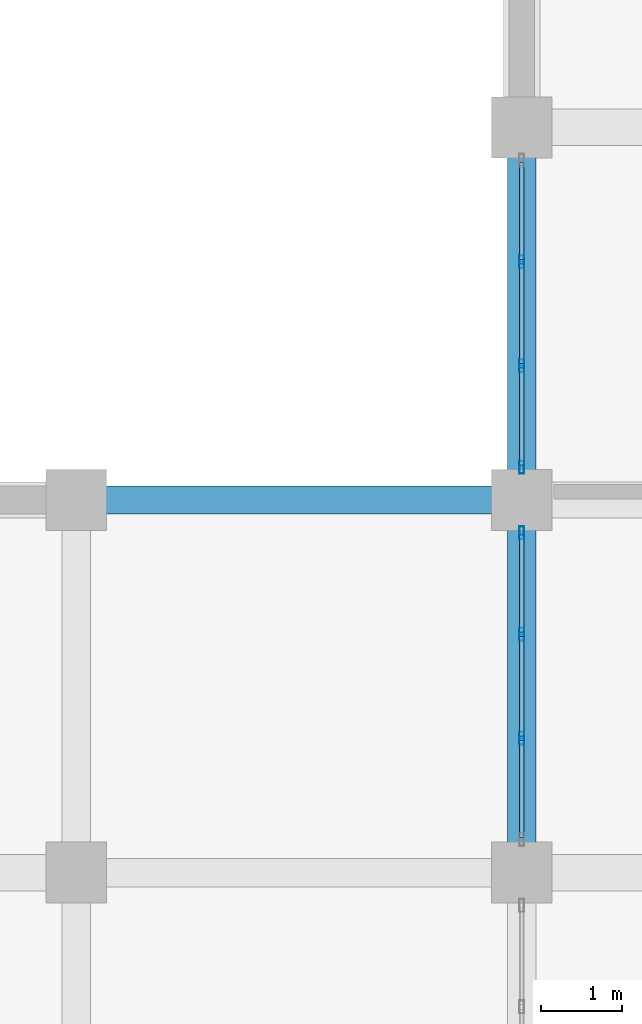
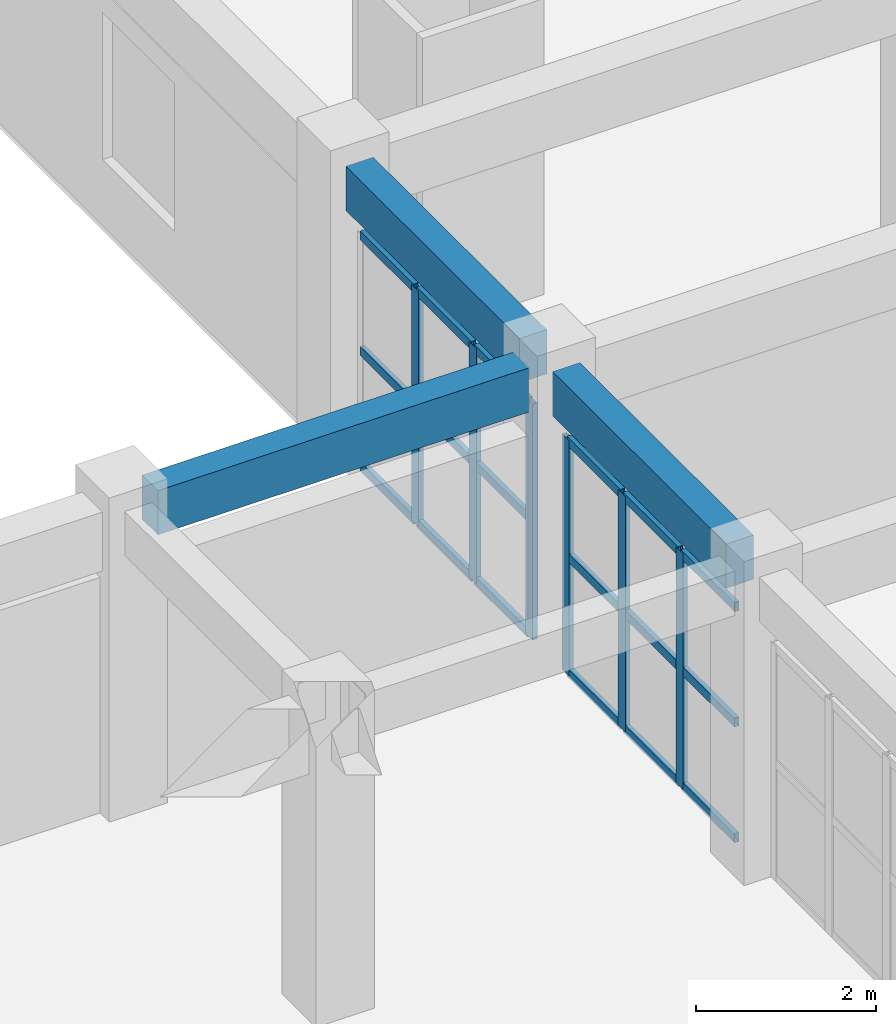
# One storey, part 44 of 116: 24 members, 3 beams, 2 elements without a shape of their own.
"""IFC4 building model written with IfcOpenShell, lengths in metres."""

from ifc_helpers import new_model, si_unit, direction, frame, origin, origin_2d, place, context, subcontext, project, spatial, rectangle, hollow_rectangle, extrude, material, layer, layer_set, material_profile, profile_set, type_object, element, aggregate, save


model = new_model("IFC4")

# Units and contexts
model_context = context("Model", 3, precision=1e-05, world=origin(), true_north=direction((0.0, 1.0)))
body_context = subcontext(model_context, "Body", "Model", "MODEL_VIEW")
ifc_project = project(units=[si_unit("LENGTHUNIT", "METRE"), si_unit("AREAUNIT", "SQUARE_METRE"), si_unit("VOLUMEUNIT", "CUBIC_METRE"), si_unit("PLANEANGLEUNIT", "RADIAN"), si_unit("MASSUNIT", "GRAM", prefix="KILO")], contexts=[model_context])

# Site, building, storey
site_placement = place(None, origin())
site = spatial("IfcSite", under=ifc_project, at=site_placement, CompositionType="ELEMENT")
building_placement = place(site_placement, origin())
building = spatial("IfcBuilding", under=site, at=building_placement, Name="Muzn Square Opera House", CompositionType="ELEMENT")
storey_placement = place(building_placement, frame((0.0, 0.0, 5.39990234375)))
storey = spatial("IfcBuildingStorey", under=building, at=storey_placement, Name="L01", CompositionType="ELEMENT", Elevation=5.39990234375)

# Curtain wall, members
ifc_material_1 = material(Name="Low-E laminated acoustic double glazing", Category="glass")
ifc_layer = layer(ifc_material_1, 0.159912109375, Name="Low-E laminated acoustic double glazing", Category="glass")
ifc_layer_set = layer_set([ifc_layer], Name="Low-E laminated acoustic double glazing")
curtain_wall_type = type_object("IfcCurtainWallType", Name="Glazed Curtain Wall WestCourt 3850x3200", PredefinedType="USERDEFINED", material=ifc_layer_set)
curtain_wall_1_placement = place(storey_placement, origin())
curtain_wall_1 = element("IfcCurtainWall", 1, at=curtain_wall_1_placement, inside=storey, type_object=curtain_wall_type, Name="Glazed Curtain Wall CW-L01-146", ObjectType="GLAZED CURTAIN WALL", PredefinedType="USERDEFINED")
ifc_material_2 = material(Name="Anodised bronze aluminium 6063-T6", Category="metal")
ifc_material_profile_1 = material_profile(ifc_material_2, hollow_rectangle(XDim=0.06005859375, YDim=0.159912109375, WallThickness=0.00390625, at=origin_2d()), Name="ALU 160x60x4", Category="metal")
ifc_profile_set_1 = profile_set([ifc_material_profile_1], Name="Anodised bronze aluminium 6063-T6")
member_type_1 = type_object("IfcMemberType", Name="Curtain Wall Mullion 160x60", PredefinedType="MULLION", material=ifc_profile_set_1)
member_1_placement = place(storey_placement, frame((19.0, 65.058349609375, 0.0), z_axis=(0.0, 0.0, 1.0), x_axis=(-1.0, 0.0, 0.0)))
member_1 = element("IfcMember", 2, at=member_1_placement, type_object=member_type_1, Name="CW-WCT-38x32 mullion 2", PredefinedType="MULLION", context=body_context, shape_type="SweptSolid", body=[
    extrude(hollow_rectangle(XDim=0.06005859375, YDim=0.159912109375, WallThickness=0.00390625, at=origin_2d()), origin(), (0.0, 0.0, 1.0), 3.2001953125),
])
member_2_placement = place(storey_placement, frame((19.0, 66.341552734375, 0.0), z_axis=(0.0, 0.0, 1.0), x_axis=(-1.0, 0.0, 0.0)))
member_2 = element("IfcMember", 3, at=member_2_placement, type_object=member_type_1, Name="CW-WCT-38x32 mullion 3", PredefinedType="MULLION", context=body_context, shape_type="SweptSolid", body=[
    extrude(hollow_rectangle(XDim=0.06005859375, YDim=0.159912109375, WallThickness=0.00390625, at=origin_2d()), origin(), (0.0, 0.0, 1.0), 3.2001953125),
])
member_3_placement = place(storey_placement, frame((19.0, 67.594970703125, 0.0), z_axis=(0.0, 0.0, 1.0), x_axis=(-1.0, 0.0, 0.0)))
member_3 = element("IfcMember", 4, at=member_3_placement, type_object=member_type_1, Name="CW-WCT-38x32 mullion 4", PredefinedType="MULLION", context=body_context, shape_type="SweptSolid", body=[
    extrude(hollow_rectangle(XDim=0.06005859375, YDim=0.159912109375, WallThickness=0.00390625, at=origin_2d()), origin(), (0.0, 0.0, 1.0), 3.2001953125),
])

curtain_wall_2_placement = place(storey_placement, origin())
curtain_wall_2 = element("IfcCurtainWall", 5, at=curtain_wall_2_placement, inside=storey, type_object=curtain_wall_type, Name="Glazed Curtain Wall CW-L01-147", ObjectType="GLAZED CURTAIN WALL", PredefinedType="USERDEFINED")
member_4_placement = place(storey_placement, frame((19.0, 68.405029296875, 0.0), z_axis=(0.0, 0.0, 1.0), x_axis=(-1.0, 0.0, 0.0)))
member_4 = element("IfcMember", 6, at=member_4_placement, type_object=member_type_1, Name="CW-WCT-38x32 mullion 1", PredefinedType="MULLION", context=body_context, shape_type="SweptSolid", body=[
    extrude(hollow_rectangle(XDim=0.06005859375, YDim=0.159912109375, WallThickness=0.00390625, at=origin_2d()), origin(), (0.0, 0.0, 1.0), 3.2001953125),
])
member_5_placement = place(storey_placement, frame((19.0, 69.658447265625, 0.0), z_axis=(0.0, 0.0, 1.0), x_axis=(-1.0, 0.0, 0.0)))
member_5 = element("IfcMember", 7, at=member_5_placement, type_object=member_type_1, Name="CW-WCT-38x32 mullion 2", PredefinedType="MULLION", context=body_context, shape_type="SweptSolid", body=[
    extrude(hollow_rectangle(XDim=0.06005859375, YDim=0.159912109375, WallThickness=0.00390625, at=origin_2d()), origin(), (0.0, 0.0, 1.0), 3.2001953125),
])
member_6_placement = place(storey_placement, frame((19.0, 70.941650390625, 0.0), z_axis=(0.0, 0.0, 1.0), x_axis=(-1.0, 0.0, 0.0)))
member_6 = element("IfcMember", 8, at=member_6_placement, type_object=member_type_1, Name="CW-WCT-38x32 mullion 3", PredefinedType="MULLION", context=body_context, shape_type="SweptSolid", body=[
    extrude(hollow_rectangle(XDim=0.06005859375, YDim=0.159912109375, WallThickness=0.00390625, at=origin_2d()), origin(), (0.0, 0.0, 1.0), 3.2001953125),
])

# Member
ifc_material_profile_2 = material_profile(ifc_material_2, hollow_rectangle(XDim=0.06005859375, YDim=0.1201171875, WallThickness=0.00390625, at=origin_2d()), Name="ALU 120x60x4", Category="metal")
ifc_profile_set_2 = profile_set([ifc_material_profile_2], Name="Anodised bronze aluminium 6063-T6")
member_type_2 = type_object("IfcMemberType", Name="Curtain Wall Transom 120x60", PredefinedType="USERDEFINED", material=ifc_profile_set_2)
member_7_placement = place(storey_placement, frame((19.0, 63.8349609375, 0.030029296875), z_axis=(0.0, 1.0, 0.0), x_axis=(-1.0, 0.0, 0.0)))
member_7 = element("IfcMember", 9, at=member_7_placement, type_object=member_type_2, Name="CW-WCT-38x32 transom 1.1", ObjectType="TRANSOM", PredefinedType="USERDEFINED", context=body_context, shape_type="SweptSolid", body=[
    extrude(hollow_rectangle(XDim=0.06005859375, YDim=0.1201171875, WallThickness=0.00390625, at=origin_2d()), origin(), (0.0, 0.0, 1.0), 1.193359375),
])

member_8_placement = place(storey_placement, frame((19.0, 63.8349609375, 1.60009765625), z_axis=(0.0, 1.0, 0.0), x_axis=(-1.0, 0.0, 0.0)))
member_8 = element("IfcMember", 10, at=member_8_placement, type_object=member_type_2, Name="CW-WCT-38x32 transom 1.2", ObjectType="TRANSOM", PredefinedType="USERDEFINED", context=body_context, shape_type="SweptSolid", body=[
    extrude(hollow_rectangle(XDim=0.06005859375, YDim=0.1201171875, WallThickness=0.00390625, at=origin_2d()), origin(), (0.0, 0.0, 1.0), 1.193359375),
])

member_9_placement = place(storey_placement, frame((19.0, 63.8349609375, 3.170166015625), z_axis=(0.0, 1.0, 0.0), x_axis=(-1.0, 0.0, 0.0)))
member_9 = element("IfcMember", 11, at=member_9_placement, type_object=member_type_2, Name="CW-WCT-38x32 transom 1.3", ObjectType="TRANSOM", PredefinedType="USERDEFINED", context=body_context, shape_type="SweptSolid", body=[
    extrude(hollow_rectangle(XDim=0.06005859375, YDim=0.1201171875, WallThickness=0.00390625, at=origin_2d()), origin(), (0.0, 0.0, 1.0), 1.193359375),
])

member_10_placement = place(storey_placement, frame((19.0, 65.08837890625, 0.030029296875), z_axis=(0.0, 1.0, 0.0), x_axis=(-1.0, 0.0, 0.0)))
member_10 = element("IfcMember", 12, at=member_10_placement, type_object=member_type_2, Name="CW-WCT-38x32 transom 2.1", ObjectType="TRANSOM", PredefinedType="USERDEFINED", context=body_context, shape_type="SweptSolid", body=[
    extrude(hollow_rectangle(XDim=0.06005859375, YDim=0.1201171875, WallThickness=0.00390625, at=origin_2d()), origin(), (0.0, 0.0, 1.0), 1.223388671875),
])

member_11_placement = place(storey_placement, frame((19.0, 65.08837890625, 1.60009765625), z_axis=(0.0, 1.0, 0.0), x_axis=(-1.0, 0.0, 0.0)))
member_11 = element("IfcMember", 13, at=member_11_placement, type_object=member_type_2, Name="CW-WCT-38x32 transom 2.2", ObjectType="TRANSOM", PredefinedType="USERDEFINED", context=body_context, shape_type="SweptSolid", body=[
    extrude(hollow_rectangle(XDim=0.06005859375, YDim=0.1201171875, WallThickness=0.00390625, at=origin_2d()), origin(), (0.0, 0.0, 1.0), 1.223388671875),
])

member_12_placement = place(storey_placement, frame((19.0, 65.08837890625, 3.170166015625), z_axis=(0.0, 1.0, 0.0), x_axis=(-1.0, 0.0, 0.0)))
member_12 = element("IfcMember", 14, at=member_12_placement, type_object=member_type_2, Name="CW-WCT-38x32 transom 2.3", ObjectType="TRANSOM", PredefinedType="USERDEFINED", context=body_context, shape_type="SweptSolid", body=[
    extrude(hollow_rectangle(XDim=0.06005859375, YDim=0.1201171875, WallThickness=0.00390625, at=origin_2d()), origin(), (0.0, 0.0, 1.0), 1.223388671875),
])

member_13_placement = place(storey_placement, frame((19.0, 66.37158203125, 0.030029296875), z_axis=(0.0, 1.0, 0.0), x_axis=(-1.0, 0.0, 0.0)))
member_13 = element("IfcMember", 15, at=member_13_placement, type_object=member_type_2, Name="CW-WCT-38x32 transom 3.1", ObjectType="TRANSOM", PredefinedType="USERDEFINED", context=body_context, shape_type="SweptSolid", body=[
    extrude(hollow_rectangle(XDim=0.06005859375, YDim=0.1201171875, WallThickness=0.00390625, at=origin_2d()), origin(), (0.0, 0.0, 1.0), 1.193359375),
])

member_14_placement = place(storey_placement, frame((19.0, 66.37158203125, 1.60009765625), z_axis=(0.0, 1.0, 0.0), x_axis=(-1.0, 0.0, 0.0)))
member_14 = element("IfcMember", 16, at=member_14_placement, type_object=member_type_2, Name="CW-WCT-38x32 transom 3.2", ObjectType="TRANSOM", PredefinedType="USERDEFINED", context=body_context, shape_type="SweptSolid", body=[
    extrude(hollow_rectangle(XDim=0.06005859375, YDim=0.1201171875, WallThickness=0.00390625, at=origin_2d()), origin(), (0.0, 0.0, 1.0), 1.193359375),
])

member_15_placement = place(storey_placement, frame((19.0, 66.37158203125, 3.170166015625), z_axis=(0.0, 1.0, 0.0), x_axis=(-1.0, 0.0, 0.0)))
member_15 = element("IfcMember", 17, at=member_15_placement, type_object=member_type_2, Name="CW-WCT-38x32 transom 3.3", ObjectType="TRANSOM", PredefinedType="USERDEFINED", context=body_context, shape_type="SweptSolid", body=[
    extrude(hollow_rectangle(XDim=0.06005859375, YDim=0.1201171875, WallThickness=0.00390625, at=origin_2d()), origin(), (0.0, 0.0, 1.0), 1.193359375),
])

aggregate(curtain_wall_1, [member_1, member_2, member_3, member_7, member_8, member_9, member_10, member_11, member_12, member_13, member_14, member_15])

member_16_placement = place(storey_placement, frame((19.0, 68.43505859375, 0.030029296875), z_axis=(0.0, 1.0, 0.0), x_axis=(-1.0, 0.0, 0.0)))
member_16 = element("IfcMember", 18, at=member_16_placement, type_object=member_type_2, Name="CW-WCT-38x32 transom 1.1", ObjectType="TRANSOM", PredefinedType="USERDEFINED", context=body_context, shape_type="SweptSolid", body=[
    extrude(hollow_rectangle(XDim=0.06005859375, YDim=0.1201171875, WallThickness=0.00390625, at=origin_2d()), origin(), (0.0, 0.0, 1.0), 1.193359375),
])

member_17_placement = place(storey_placement, frame((19.0, 68.43505859375, 1.60009765625), z_axis=(0.0, 1.0, 0.0), x_axis=(-1.0, 0.0, 0.0)))
member_17 = element("IfcMember", 19, at=member_17_placement, type_object=member_type_2, Name="CW-WCT-38x32 transom 1.2", ObjectType="TRANSOM", PredefinedType="USERDEFINED", context=body_context, shape_type="SweptSolid", body=[
    extrude(hollow_rectangle(XDim=0.06005859375, YDim=0.1201171875, WallThickness=0.00390625, at=origin_2d()), origin(), (0.0, 0.0, 1.0), 1.193359375),
])

member_18_placement = place(storey_placement, frame((19.0, 68.43505859375, 3.170166015625), z_axis=(0.0, 1.0, 0.0), x_axis=(-1.0, 0.0, 0.0)))
member_18 = element("IfcMember", 20, at=member_18_placement, type_object=member_type_2, Name="CW-WCT-38x32 transom 1.3", ObjectType="TRANSOM", PredefinedType="USERDEFINED", context=body_context, shape_type="SweptSolid", body=[
    extrude(hollow_rectangle(XDim=0.06005859375, YDim=0.1201171875, WallThickness=0.00390625, at=origin_2d()), origin(), (0.0, 0.0, 1.0), 1.193359375),
])

member_19_placement = place(storey_placement, frame((19.0, 69.688232421875, 0.030029296875), z_axis=(0.0, 1.0, 0.0), x_axis=(-1.0, 0.0, 0.0)))
member_19 = element("IfcMember", 21, at=member_19_placement, type_object=member_type_2, Name="CW-WCT-38x32 transom 2.1", ObjectType="TRANSOM", PredefinedType="USERDEFINED", context=body_context, shape_type="SweptSolid", body=[
    extrude(hollow_rectangle(XDim=0.06005859375, YDim=0.1201171875, WallThickness=0.00390625, at=origin_2d()), origin(), (0.0, 0.0, 1.0), 1.223388671875),
])

member_20_placement = place(storey_placement, frame((19.0, 69.688232421875, 1.60009765625), z_axis=(0.0, 1.0, 0.0), x_axis=(-1.0, 0.0, 0.0)))
member_20 = element("IfcMember", 22, at=member_20_placement, type_object=member_type_2, Name="CW-WCT-38x32 transom 2.2", ObjectType="TRANSOM", PredefinedType="USERDEFINED", context=body_context, shape_type="SweptSolid", body=[
    extrude(hollow_rectangle(XDim=0.06005859375, YDim=0.1201171875, WallThickness=0.00390625, at=origin_2d()), origin(), (0.0, 0.0, 1.0), 1.223388671875),
])

member_21_placement = place(storey_placement, frame((19.0, 69.688232421875, 3.170166015625), z_axis=(0.0, 1.0, 0.0), x_axis=(-1.0, 0.0, 0.0)))
member_21 = element("IfcMember", 23, at=member_21_placement, type_object=member_type_2, Name="CW-WCT-38x32 transom 2.3", ObjectType="TRANSOM", PredefinedType="USERDEFINED", context=body_context, shape_type="SweptSolid", body=[
    extrude(hollow_rectangle(XDim=0.06005859375, YDim=0.1201171875, WallThickness=0.00390625, at=origin_2d()), origin(), (0.0, 0.0, 1.0), 1.223388671875),
])

member_22_placement = place(storey_placement, frame((19.0, 70.9716796875, 0.030029296875), z_axis=(0.0, 1.0, 0.0), x_axis=(-1.0, 0.0, 0.0)))
member_22 = element("IfcMember", 24, at=member_22_placement, type_object=member_type_2, Name="CW-WCT-38x32 transom 3.1", ObjectType="TRANSOM", PredefinedType="USERDEFINED", context=body_context, shape_type="SweptSolid", body=[
    extrude(hollow_rectangle(XDim=0.06005859375, YDim=0.1201171875, WallThickness=0.00390625, at=origin_2d()), origin(), (0.0, 0.0, 1.0), 1.193359375),
])

member_23_placement = place(storey_placement, frame((19.0, 70.9716796875, 1.60009765625), z_axis=(0.0, 1.0, 0.0), x_axis=(-1.0, 0.0, 0.0)))
member_23 = element("IfcMember", 25, at=member_23_placement, type_object=member_type_2, Name="CW-WCT-38x32 transom 3.2", ObjectType="TRANSOM", PredefinedType="USERDEFINED", context=body_context, shape_type="SweptSolid", body=[
    extrude(hollow_rectangle(XDim=0.06005859375, YDim=0.1201171875, WallThickness=0.00390625, at=origin_2d()), origin(), (0.0, 0.0, 1.0), 1.193359375),
])

member_24_placement = place(storey_placement, frame((19.0, 70.9716796875, 3.170166015625), z_axis=(0.0, 1.0, 0.0), x_axis=(-1.0, 0.0, 0.0)))
member_24 = element("IfcMember", 26, at=member_24_placement, type_object=member_type_2, Name="CW-WCT-38x32 transom 3.3", ObjectType="TRANSOM", PredefinedType="USERDEFINED", context=body_context, shape_type="SweptSolid", body=[
    extrude(hollow_rectangle(XDim=0.06005859375, YDim=0.1201171875, WallThickness=0.00390625, at=origin_2d()), origin(), (0.0, 0.0, 1.0), 1.193359375),
])

aggregate(curtain_wall_2, [member_4, member_5, member_6, member_16, member_17, member_18, member_19, member_20, member_21, member_22, member_23, member_24])

# Beams
ifc_material_3 = material(Name="Concrete C40/50", Category="concrete")
ifc_material_profile_3 = material_profile(ifc_material_3, rectangle(XDim=0.35009765625, YDim=0.60009765625, at=origin_2d()), Name="RCB 350x600", Category="concrete")
ifc_profile_set_3 = profile_set([ifc_material_profile_3], Name="Concrete C40/50")
beam_type = type_object("IfcBeamType", Name="Primary Girder 350x600", PredefinedType="BEAM", material=ifc_profile_set_3)
beam_placement = place(storey_placement, frame((13.866943359375, 68.0, 3.820068359375), z_axis=(1.0, 0.0, 0.0), x_axis=(0.0, 1.0, 0.0)))
element("IfcBeam", 27, at=beam_placement, inside=storey, type_object=beam_type, Name="Primary Girder BM-L01-BM-PG600-139_680_186_680-1414", PredefinedType="BEAM", context=body_context, shape_type="SweptSolid", body=[
    extrude(rectangle(XDim=0.35009765625, YDim=0.60009765625, at=origin_2d()), origin(), (0.0, 0.0, 1.0), 4.76611328125),
])
for number, where, z_axis, x_axis, name in (
    (28, (19.0, 63.76708984375, 3.820068359375), (0.0, 1.0, 0.0), (-1.0, 0.0, 0.0), "Primary Girder BM-L01-BM-PG600-190_638_190_676-1565"),
    (29, (19.0, 68.366943359375, 3.820068359375), (0.0, 1.0, 0.0), (-1.0, 0.0, 0.0), "Primary Girder BM-L01-BM-PG600-190_684_190_722-1566"),
):
    element("IfcBeam", number, at=place(storey_placement, frame(where, z_axis=z_axis, x_axis=x_axis)), inside=storey, type_object=beam_type, Name=name, PredefinedType="BEAM", context=body_context, shape_type="SweptSolid", body=[
        extrude(rectangle(XDim=0.35009765625, YDim=0.60009765625, at=origin_2d()), origin(), (0.0, 0.0, 1.0), 3.865966796875),
    ])

save(model, "model.ifc")
